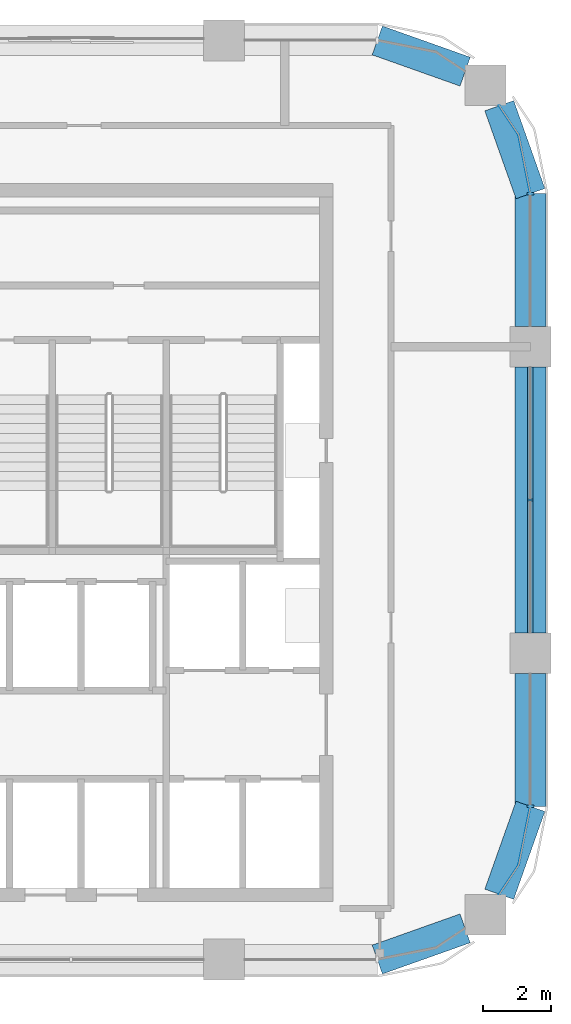
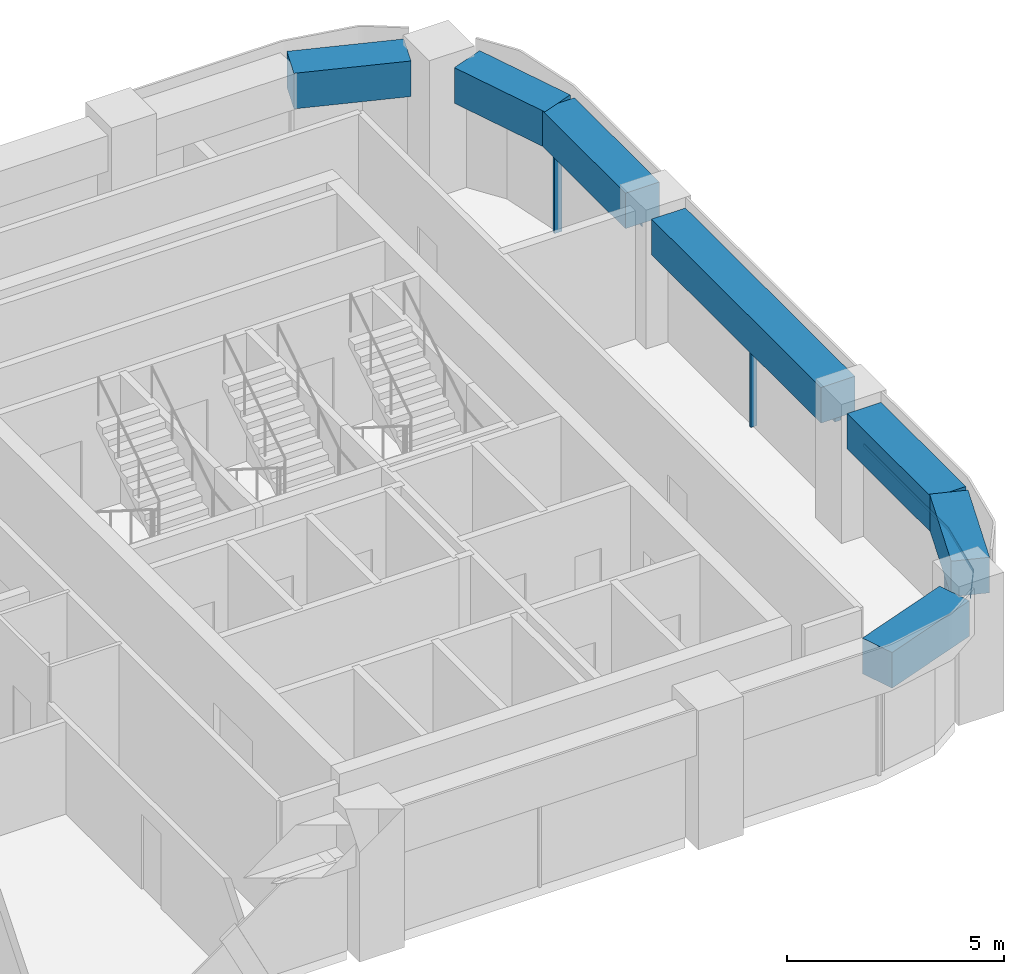
# One storey, part 5 of 10: 7 beams, 6 members, 3 elements without a shape of their own.
"""IFC4 building model written with IfcOpenShell, lengths in metres."""

from ifc_helpers import new_model, si_unit, direction, frame, origin, origin_2d, place, context, subcontext, project, spatial, polyline, rectangle, outline, extrude, material, material_profile, profile_set, type_object, element, aggregate, save


model = new_model("IFC4")

# Units and contexts
model_context = context("Model", 3, precision=1e-05, world=origin(), true_north=direction((0.0, 1.0)))
body_context = subcontext(model_context, "Body", "Model", "MODEL_VIEW")
ifc_project = project(units=[si_unit("LENGTHUNIT", "METRE"), si_unit("AREAUNIT", "SQUARE_METRE"), si_unit("VOLUMEUNIT", "CUBIC_METRE"), si_unit("PLANEANGLEUNIT", "RADIAN"), si_unit("MASSUNIT", "GRAM", prefix="KILO")], contexts=[model_context])

# Site, building, storey
site_placement = place(None, origin())
site = spatial("IfcSite", under=ifc_project, at=site_placement, CompositionType="ELEMENT")
building_placement = place(site_placement, origin())
building = spatial("IfcBuilding", under=site, at=building_placement, Name="Tessera Arch", CompositionType="ELEMENT")
storey_placement = place(building_placement, frame((0.0, 0.0, 254.0)))
storey = spatial("IfcBuildingStorey", under=building, at=storey_placement, Name="L61", CompositionType="ELEMENT", Elevation=254.0)

# Curtain wall, members
ifc_material_1 = material(Name="CW1 curtain wall")
curtain_wall_type_1 = type_object("IfcCurtainWallType", Name="CW1 curtain wall", PredefinedType="NOTDEFINED", material=ifc_material_1)
curtain_wall_1_placement = place(storey_placement, origin())
curtain_wall_1 = element("IfcCurtainWall", 1, at=curtain_wall_1_placement, inside=storey, type_object=curtain_wall_type_1, Name="CW1 curtain wall E54.27/0 L61", PredefinedType="NOTDEFINED")
ifc_material_2 = material(Name="Anodised aluminium pale metal", Category="aluminium")
ifc_material_profile_1 = material_profile(ifc_material_2, rectangle(XDim=0.159912109375, YDim=0.06005859375, at=origin_2d()), Name="AL 60x160")
ifc_profile_set_1 = profile_set([ifc_material_profile_1], Name="Anodised aluminium pale metal")
member_type_1 = type_object("IfcMemberType", Name="CW1 mullion", PredefinedType="MULLION", material=ifc_profile_set_1)
member_1_placement = place(storey_placement, frame((54.0, 40.5, 0.0), z_axis=(0.0, 0.0, 1.0), x_axis=(-1.0, 0.0, 0.0)))
member_1 = element("IfcMember", 2, at=member_1_placement, type_object=member_type_1, Name="CW1 mullion E54.27/0 1", PredefinedType="MULLION", context=body_context, shape_type="SweptSolid", body=[
    extrude(rectangle(XDim=0.159912109375, YDim=0.06005859375, at=origin_2d()), origin(), (0.0, 0.0, 1.0), 2.5),
])
ifc_material_3 = material(Name="Anodised aluminium pale metal", Category="aluminium")
ifc_material_profile_2 = material_profile(ifc_material_3, rectangle(XDim=0.159912109375, YDim=0.10009765625, at=origin_2d()), Name="AL 160x100")
ifc_profile_set_2 = profile_set([ifc_material_profile_2], Name="Anodised aluminium pale metal")
member_type_2 = type_object("IfcMemberType", Name="CW1 transom", PredefinedType="USERDEFINED", material=ifc_profile_set_2)
member_2_placement = place(storey_placement, frame((54.0, 36.60009765625, 2.550048828125), z_axis=(0.0, 1.0, 0.0), x_axis=(-1.0, 0.0, 0.0)))
member_2 = element("IfcMember", 3, at=member_2_placement, type_object=member_type_2, Name="CW1 transom E54.27/0 1.1", ObjectType="TRANSOM", PredefinedType="USERDEFINED", context=body_context, shape_type="SweptSolid", body=[
    extrude(rectangle(XDim=0.159912109375, YDim=0.10009765625, at=origin_2d()), origin(), (0.0, 0.0, 1.0), 7.7998046875),
])
aggregate(curtain_wall_1, [member_1, member_2])

# Curtain wall, member
ifc_material_4 = material(Name="CW2 curtain wall")
curtain_wall_type_2 = type_object("IfcCurtainWallType", Name="CW2 curtain wall", PredefinedType="NOTDEFINED", material=ifc_material_4)
curtain_wall_2_placement = place(storey_placement, origin())
curtain_wall_2 = element("IfcCurtainWall", 4, at=curtain_wall_2_placement, inside=storey, type_object=curtain_wall_type_2, Name="CW2 curtain wall E54.27/1 L61", PredefinedType="NOTDEFINED")
ifc_material_5 = material(Name="Anodised aluminium pale metal", Category="aluminium")
ifc_material_profile_3 = material_profile(ifc_material_5, rectangle(XDim=0.199951171875, YDim=0.080078125, at=origin_2d()), Name="AL 80x200")
ifc_profile_set_3 = profile_set([ifc_material_profile_3], Name="Anodised aluminium pale metal")
member_type_3 = type_object("IfcMemberType", Name="CW2 mullion", PredefinedType="MULLION", material=ifc_profile_set_3)
member_3_placement = place(storey_placement, frame((54.0, 49.5, 0.0), z_axis=(0.0, 0.0, 1.0), x_axis=(-1.0, 0.0, 0.0)))
member_3 = element("IfcMember", 5, at=member_3_placement, type_object=member_type_3, Name="CW2 mullion E54.27/1 1", PredefinedType="MULLION", context=body_context, shape_type="SweptSolid", body=[
    extrude(rectangle(XDim=0.199951171875, YDim=0.080078125, at=origin_2d()), origin(), (0.0, 0.0, 1.0), 2.5),
])

curtain_wall_3_placement = place(storey_placement, origin())
curtain_wall_3 = element("IfcCurtainWall", 6, at=curtain_wall_3_placement, inside=storey, type_object=curtain_wall_type_2, Name="CW2 curtain wall E54.27/2 L61", PredefinedType="NOTDEFINED")
member_4_placement = place(storey_placement, frame((54.0, 31.5, 0.0), z_axis=(0.0, 0.0, 1.0), x_axis=(-1.0, 0.0, 0.0)))
member_4 = element("IfcMember", 7, at=member_4_placement, type_object=member_type_3, Name="CW2 mullion E54.27/2 1", PredefinedType="MULLION", context=body_context, shape_type="SweptSolid", body=[
    extrude(rectangle(XDim=0.199951171875, YDim=0.080078125, at=origin_2d()), origin(), (0.0, 0.0, 1.0), 2.5),
])

# Member
ifc_material_6 = material(Name="Anodised aluminium pale metal", Category="aluminium")
ifc_material_profile_4 = material_profile(ifc_material_6, rectangle(XDim=0.199951171875, YDim=0.10009765625, at=origin_2d()), Name="AL 200x100")
ifc_profile_set_4 = profile_set([ifc_material_profile_4], Name="Anodised aluminium pale metal")
member_type_4 = type_object("IfcMemberType", Name="CW2 transom", PredefinedType="USERDEFINED", material=ifc_profile_set_4)
member_5_placement = place(storey_placement, frame((0.0, 0.0, 2.5)))
member_5 = element("IfcMember", 8, at=member_5_placement, type_object=member_type_4, Name="CW2 transom E54.27/1 1", ObjectType="TRANSOM", PredefinedType="USERDEFINED", context=body_context, shape_type="SweptSolid", body=[
    extrude(outline(polyline([(53.989990234375, 49.4990234375), (53.989990234375, 45.60009765625), (54.010009765625, 45.60009765625), (54.010009765625, 49.5009765625), (53.6669921875, 51.22607421875), (53.09130859375, 52.087646484375), (53.07470703125, 52.076416015625), (53.648193359375, 51.21826171875), (53.989990234375, 49.4990234375)])), origin(), (0.0, 0.0, 1.0), 0.10009765625),
])

aggregate(curtain_wall_2, [member_3, member_5])

member_6_placement = place(storey_placement, frame((0.0, 0.0, 2.5)))
member_6 = element("IfcMember", 9, at=member_6_placement, type_object=member_type_4, Name="CW2 transom E54.27/2 1", ObjectType="TRANSOM", PredefinedType="USERDEFINED", context=body_context, shape_type="SweptSolid", body=[
    extrude(outline(polyline([(53.648193359375, 29.78173828125), (53.07470703125, 28.923583984375), (53.09130859375, 28.912353515625), (53.6669921875, 29.77392578125), (54.010009765625, 31.4990234375), (54.010009765625, 35.39990234375), (53.989990234375, 35.39990234375), (53.989990234375, 31.5009765625), (53.648193359375, 29.78173828125)])), origin(), (0.0, 0.0, 1.0), 0.10009765625),
])

aggregate(curtain_wall_3, [member_4, member_6])

# Beams
ifc_material_7 = material(Name="Concrete C60/75", Category="concrete")
ifc_material_profile_5 = material_profile(ifc_material_7, rectangle(XDim=0.89990234375, YDim=1.0, at=origin_2d()), Name="RC spandrel beam 900 x 1000 Concrete C60/75")
ifc_profile_set_5 = profile_set([ifc_material_profile_5], Name="Concrete C60/75")
beam_type = type_object("IfcBeamType", Name="RC spandrel beam 900 x 1000 Concrete C60/75", PredefinedType="BEAM", material=ifc_profile_set_5)
beam_1_placement = place(storey_placement, frame((54.0, 36.60009765625, 3.10009765625), z_axis=(0.0, 1.0, 0.0), x_axis=(-1.0, 0.0, 0.0)))
element("IfcBeam", 10, at=beam_1_placement, inside=storey, type_object=beam_type, Name="Spandrel beam L61 E54.27/0", PredefinedType="BEAM", context=body_context, shape_type="SweptSolid", body=[
    extrude(rectangle(XDim=0.89990234375, YDim=1.0, at=origin_2d()), origin(), (0.0, 0.0, 1.0), 7.7998046875),
])
beam_2_placement = place(storey_placement, frame((54.0, 45.60009765625, 3.10009765625), z_axis=(0.0, 1.0, 0.0), x_axis=(-1.0, 0.0, 0.0)))
element("IfcBeam", 11, at=beam_2_placement, inside=storey, type_object=beam_type, Name="Spandrel beam L61 E54.27/1.1", PredefinedType="BEAM", context=body_context, shape_type="SweptSolid", body=[
    extrude(rectangle(XDim=0.89990234375, YDim=1.0, at=origin_2d()), origin(), (0.0, 0.0, 1.0), 3.89990234375),
])
for number, where, z_axis, x_axis, name in (
    (12, (54.0, 49.5, 3.10009765625), (-0.334665114373, 0.942337127159, 0.0), (-0.942337127159, -0.334665114373, 0.0), "Spandrel beam L61 E54.27/1.2"),
    (13, (52.08203125, 53.0830078125, 3.10009765625), (-0.942337127159, 0.334665114373, 0.0), (-0.334665114373, -0.942337127159, 0.0), "Spandrel beam L61 N54.18/0.1"),
    (14, (49.5, 27.0, 3.10009765625), (0.942337127159, 0.334665114373, 0.0), (-0.334665114373, 0.942337127159, 0.0), "Spandrel beam L61 S27.18/3.2"),
    (15, (53.0830078125, 28.91796875, 3.10009765625), (0.334665114373, 0.942337127159, 0.0), (-0.942337127159, 0.334665114373, 0.0), "Spandrel beam L61 E54.27/2.1"),
):
    element("IfcBeam", number, at=place(storey_placement, frame(where, z_axis=z_axis, x_axis=x_axis)), inside=storey, type_object=beam_type, Name=name, PredefinedType="BEAM", context=body_context, shape_type="SweptSolid", body=[
        extrude(rectangle(XDim=0.89990234375, YDim=1.0, at=origin_2d()), origin(), (0.0, 0.0, 1.0), 2.739990234375),
    ])
beam_3_placement = place(storey_placement, frame((54.0, 31.5, 3.10009765625), z_axis=(0.0, 1.0, 0.0), x_axis=(-1.0, 0.0, 0.0)))
element("IfcBeam", 16, at=beam_3_placement, inside=storey, type_object=beam_type, Name="Spandrel beam L61 E54.27/2.2", PredefinedType="BEAM", context=body_context, shape_type="SweptSolid", body=[
    extrude(rectangle(XDim=0.89990234375, YDim=1.0, at=origin_2d()), origin(), (0.0, 0.0, 1.0), 3.89990234375),
])

save(model, "model.ifc")
